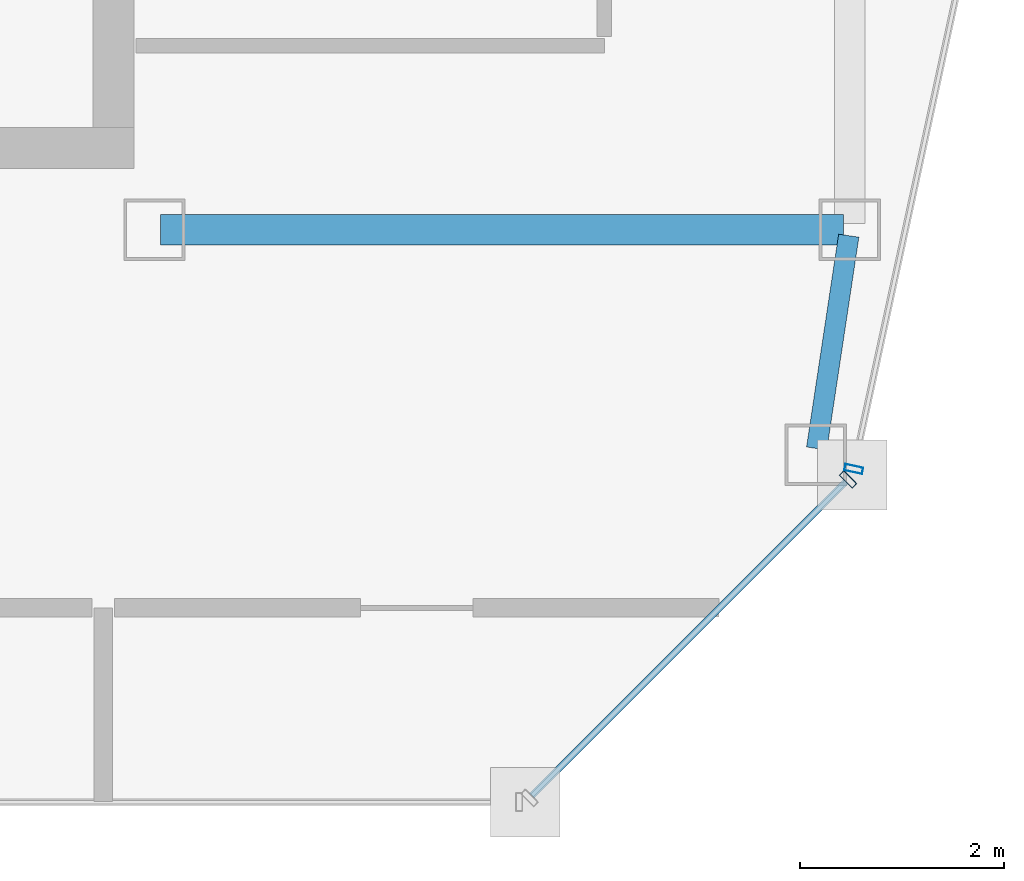
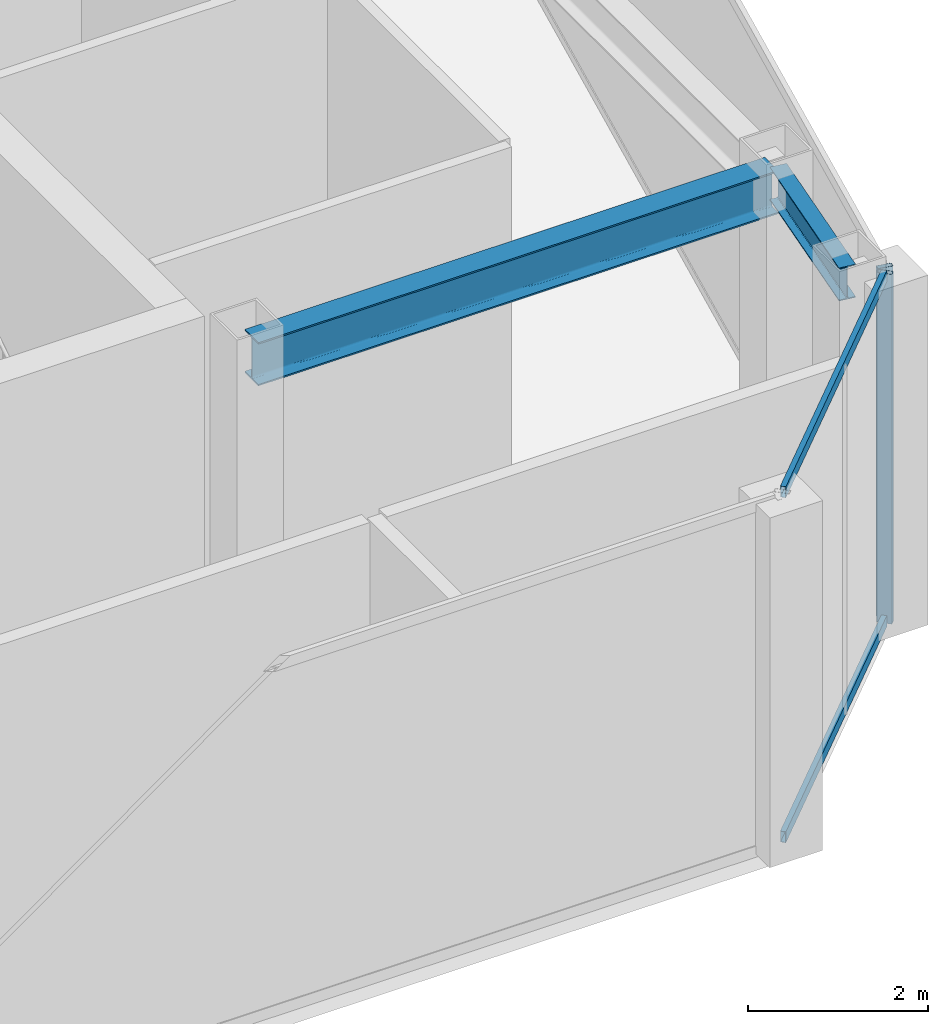
# One storey, part 11 of 20: 4 members, 2 beams, 2 elements without a shape of their own.
"""IFC4 building model written with IfcOpenShell, lengths in metres."""

from ifc_helpers import new_model, si_unit, direction, frame, origin, origin_2d, place, context, subcontext, project, spatial, hollow_rectangle, i_section, extrude, material, material_profile, profile_set, type_object, element, aggregate, save


model = new_model("IFC4")

# Units and contexts
model_context = context("Model", 3, precision=1e-05, world=origin(), true_north=direction((0.0, 1.0)))
body_context = subcontext(model_context, "Body", "Model", "MODEL_VIEW")
ifc_project = project(units=[si_unit("LENGTHUNIT", "METRE"), si_unit("AREAUNIT", "SQUARE_METRE"), si_unit("VOLUMEUNIT", "CUBIC_METRE"), si_unit("PLANEANGLEUNIT", "RADIAN"), si_unit("MASSUNIT", "GRAM", prefix="KILO")], contexts=[model_context])

# Site, building, storey
site_placement = place(None, origin())
site = spatial("IfcSite", under=ifc_project, at=site_placement, CompositionType="ELEMENT")
building_placement = place(site_placement, origin())
building = spatial("IfcBuilding", under=site, at=building_placement, Name="Saevonmaru Cultural Tower", CompositionType="ELEMENT")
storey_placement = place(building_placement, frame((0.0, 0.0, 314.199951171875)))
storey = spatial("IfcBuildingStorey", under=building, at=storey_placement, Name="L75", CompositionType="ELEMENT", Elevation=314.199951171875)

# Beams
ifc_material_1 = material(Name="Steel SM355", Category="steel")
ifc_material_profile_1 = material_profile(ifc_material_1, i_section(OverallWidth=0.300048828125, OverallDepth=0.587890625, WebThickness=0.011962890625, FlangeThickness=0.02001953125, FilletRadius=0.02392578125, at=origin_2d()), Name="H-588x300x12x20")
ifc_profile_set_1 = profile_set([ifc_material_profile_1], Name="Steel SM355")
beam_type_1 = type_object("IfcBeamType", Name="BM-G-H588", PredefinedType="BEAM", material=ifc_profile_set_1)
beam_1_placement = place(storey_placement, frame((46.4599609375, 42.39990234375, 4.4560546875), z_axis=(1.0, 0.0, 0.0), x_axis=(0.0, 1.0, 0.0)))
element("IfcBeam", 1, at=beam_1_placement, inside=storey, type_object=beam_type_1, Name="L75 Core South Girder 5", PredefinedType="BEAM", context=body_context, shape_type="SweptSolid", body=[
    extrude(i_section(OverallWidth=0.300048828125, OverallDepth=0.587890625, WebThickness=0.011962890625, FlangeThickness=0.02001953125, FilletRadius=0.02392578125, at=origin_2d()), origin(), (0.0, 0.0, 1.0), 6.679931640625),
])
ifc_material_profile_2 = material_profile(ifc_material_1, i_section(OverallWidth=0.199951171875, OverallDepth=0.449951171875, WebThickness=0.009033203125, FlangeThickness=0.013916015625, FilletRadius=0.01806640625, at=origin_2d()), Name="H-450x200x9x14")
ifc_profile_set_2 = profile_set([ifc_material_profile_2], Name="Steel SM355")
beam_type_2 = type_object("IfcBeamType", Name="BM-SP-H450", PredefinedType="SPANDREL", material=ifc_profile_set_2)
beam_2_placement = place(storey_placement, frame((52.876953125, 40.25927734375, 4.525146484375), z_axis=(0.149145717006, 0.988815227987, 0.0), x_axis=(-0.988815227987, 0.149145717006, 0.0)))
element("IfcBeam", 2, at=beam_2_placement, inside=storey, type_object=beam_type_2, Name="L75 East Splayed Spandrel 1", PredefinedType="SPANDREL", context=body_context, shape_type="SweptSolid", body=[
    extrude(i_section(OverallWidth=0.199951171875, OverallDepth=0.449951171875, WebThickness=0.009033203125, FlangeThickness=0.013916015625, FilletRadius=0.01806640625, at=origin_2d()), origin(), (0.0, 0.0, 1.0), 2.10498046875),
])

# Curtain wall, member
ifc_material_2 = material(Name="Satin Bronze Anodised Aluminium", Category="aluminium")
curtain_wall_type = type_object("IfcCurtainWallType", Name="CW-TYP-B", PredefinedType="NOTDEFINED", material=ifc_material_2)
curtain_wall_1_placement = place(storey_placement, origin())
curtain_wall_1 = element("IfcCurtainWall", 3, at=curtain_wall_1_placement, inside=storey, type_object=curtain_wall_type, Name="L75 Wind-Floor Acoustic Louvre Screen E7", PredefinedType="NOTDEFINED")
ifc_material_profile_3 = material_profile(ifc_material_2, hollow_rectangle(XDim=0.06494140625, YDim=0.179931640625, WallThickness=0.00390625, at=origin_2d()), Name="ALU-MULL-180x65x4")
ifc_profile_set_3 = profile_set([ifc_material_profile_3], Name="Satin Bronze Anodised Aluminium")
member_type_1 = type_object("IfcMemberType", Name="ML-CW-180x65", PredefinedType="MULLION", material=ifc_profile_set_3)
member_1_placement = place(storey_placement, frame((53.184326171875, 39.95751953125, 0.0), z_axis=(0.0, 0.0, 1.0), x_axis=(0.707106781187, 0.707106781187, 0.0)))
member_1 = element("IfcMember", 4, at=member_1_placement, type_object=member_type_1, Name="CW-TW-L75-E7 mullion 2", PredefinedType="MULLION", context=body_context, shape_type="SweptSolid", body=[
    extrude(hollow_rectangle(XDim=0.06494140625, YDim=0.179931640625, WallThickness=0.00390625, at=origin_2d()), origin(), (0.0, 0.0, 1.0), 4.75),
])

curtain_wall_2_placement = place(storey_placement, origin())
curtain_wall_2 = element("IfcCurtainWall", 5, at=curtain_wall_2_placement, inside=storey, type_object=curtain_wall_type, Name="L75 Wind-Floor Acoustic Louvre Screen E8", PredefinedType="NOTDEFINED")
member_2_placement = place(storey_placement, frame((53.239501953125, 40.05859375, 0.0), z_axis=(0.0, 0.0, 1.0), x_axis=(0.211750401587, 0.977323778196, 0.0)))
member_2 = element("IfcMember", 6, at=member_2_placement, type_object=member_type_1, Name="CW-TW-L75-E8 mullion 1", PredefinedType="MULLION", context=body_context, shape_type="SweptSolid", body=[
    extrude(hollow_rectangle(XDim=0.06494140625, YDim=0.179931640625, WallThickness=0.00390625, at=origin_2d()), origin(), (0.0, 0.0, 1.0), 4.75),
])
aggregate(curtain_wall_2, [member_2])

# Member
ifc_material_profile_4 = material_profile(ifc_material_2, hollow_rectangle(XDim=0.06494140625, YDim=0.14990234375, WallThickness=0.00390625, at=origin_2d()), Name="ALU-TRAN-150x65x4")
ifc_profile_set_4 = profile_set([ifc_material_profile_4], Name="Satin Bronze Anodised Aluminium")
member_type_2 = type_object("IfcMemberType", Name="TR-CW-150x65", PredefinedType="USERDEFINED", material=ifc_profile_set_4)
member_3_placement = place(storey_placement, frame((50.092041015625, 36.865478515625, 0.032470703125), z_axis=(0.707134904033, 0.707078657222, 0.0), x_axis=(-0.707078657222, 0.707134904033, 0.0)))
member_3 = element("IfcMember", 7, at=member_3_placement, type_object=member_type_2, Name="CW-TW-L75-E7 transom 1.1", ObjectType="TRANSOM", PredefinedType="USERDEFINED", context=body_context, shape_type="SweptSolid", body=[
    extrude(hollow_rectangle(XDim=0.06494140625, YDim=0.14990234375, WallThickness=0.00390625, at=origin_2d()), origin(), (0.0, 0.0, 1.0), 4.340576171875),
])

member_4_placement = place(storey_placement, frame((50.092041015625, 36.865478515625, 4.717529296875), z_axis=(0.707134904033, 0.707078657222, 0.0), x_axis=(-0.707078657222, 0.707134904033, 0.0)))
member_4 = element("IfcMember", 8, at=member_4_placement, type_object=member_type_2, Name="CW-TW-L75-E7 transom 1.2", ObjectType="TRANSOM", PredefinedType="USERDEFINED", context=body_context, shape_type="SweptSolid", body=[
    extrude(hollow_rectangle(XDim=0.06494140625, YDim=0.14990234375, WallThickness=0.00390625, at=origin_2d()), origin(), (0.0, 0.0, 1.0), 4.340576171875),
])

aggregate(curtain_wall_1, [member_1, member_3, member_4])

save(model, "model.ifc")
